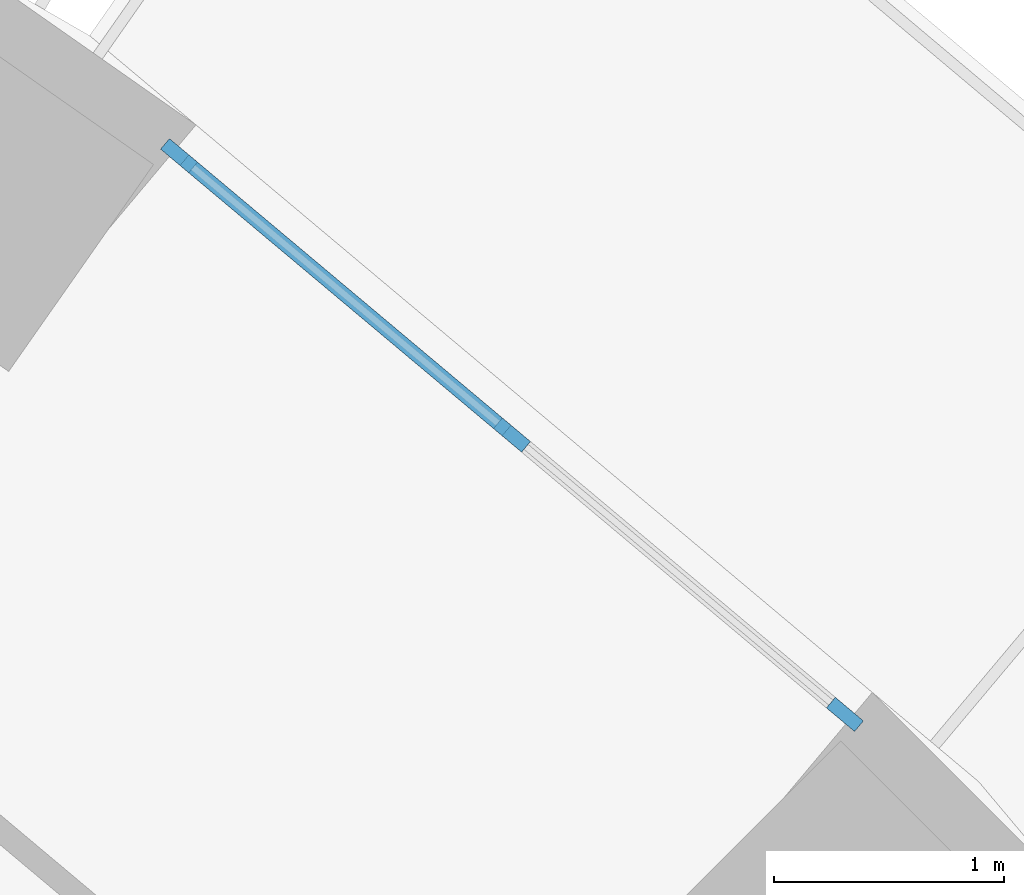
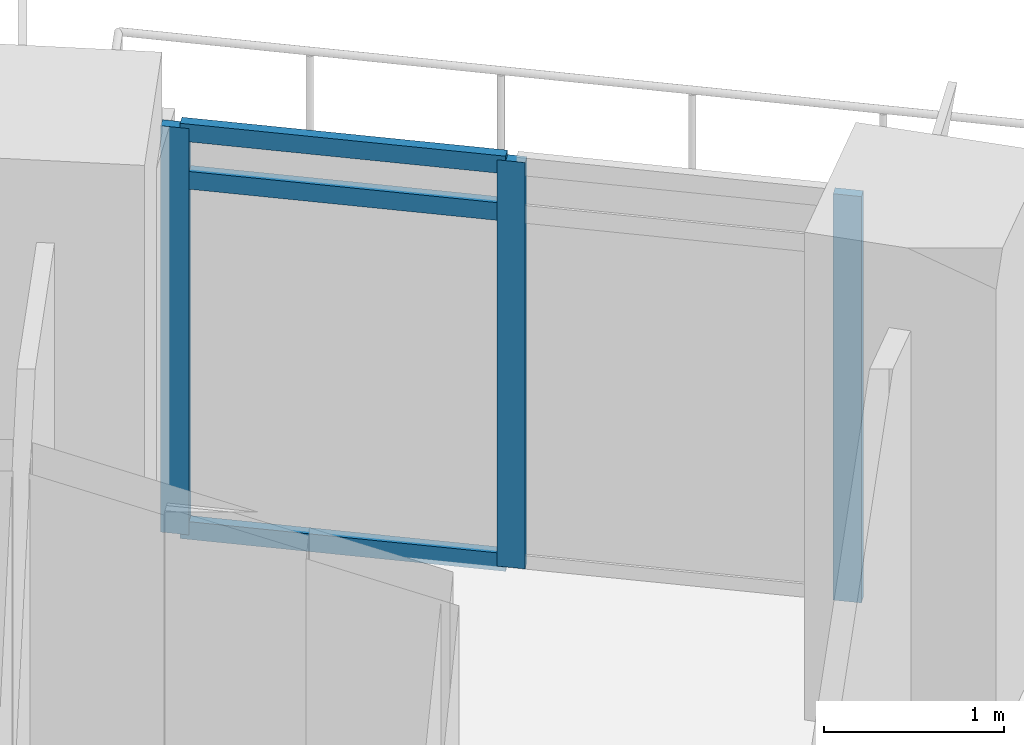
# One storey, part 2 of 15: 6 members, 1 element without a shape of its own.
"""IFC4 building model written with IfcOpenShell, lengths in metres."""

from ifc_helpers import new_model, si_unit, direction, frame, origin, origin_2d, place, context, subcontext, project, spatial, rectangle, extrude, material, layer, layer_set, material_profile, profile_set, type_object, element, aggregate, save


model = new_model("IFC4")

# Units and contexts
model_context = context("Model", 3, precision=1e-05, world=origin(), true_north=direction((0.0, 1.0)))
body_context = subcontext(model_context, "Body", "Model", "MODEL_VIEW")
ifc_project = project(units=[si_unit("LENGTHUNIT", "METRE"), si_unit("AREAUNIT", "SQUARE_METRE"), si_unit("VOLUMEUNIT", "CUBIC_METRE"), si_unit("PLANEANGLEUNIT", "RADIAN"), si_unit("MASSUNIT", "GRAM", prefix="KILO")], contexts=[model_context])

# Site, building, storey
site_placement = place(None, origin())
site = spatial("IfcSite", under=ifc_project, at=site_placement, CompositionType="ELEMENT")
building_placement = place(site_placement, origin())
building = spatial("IfcBuilding", under=site, at=building_placement, Name="Saqina Gate Tower", CompositionType="ELEMENT")
storey_placement = place(building_placement, frame((0.0, 0.0, 62.60009765625)))
storey = spatial("IfcBuildingStorey", under=building, at=storey_placement, Name="L17", CompositionType="ELEMENT", Elevation=62.60009765625)

# Curtain wall, members
ifc_material_1 = material(Name="Aluminium glazing", Category="aluminium")
ifc_layer = layer(ifc_material_1, 0.159912109375)
ifc_layer_set = layer_set([ifc_layer], Name="CWT-4")
curtain_wall_type = type_object("IfcCurtainWallType", Name="CWT-4", PredefinedType="NOTDEFINED", material=ifc_layer_set)
curtain_wall_placement = place(storey_placement, origin())
curtain_wall = element("IfcCurtainWall", 1, at=curtain_wall_placement, inside=storey, type_object=curtain_wall_type, Name="Terrace lounge glazing facet 5", PredefinedType="NOTDEFINED")
ifc_material_2 = material(Name="Aluminium", Category="aluminium")
ifc_material_profile_1 = material_profile(ifc_material_2, rectangle(XDim=0.06005859375, YDim=0.159912109375, at=origin_2d()), Name="Aluminium 60x160")
ifc_profile_set_1 = profile_set([ifc_material_profile_1], Name="Aluminium")
member_type_1 = type_object("IfcMemberType", Name="CWT-4M", PredefinedType="MULLION", material=ifc_profile_set_1)
member_1_placement = place(storey_placement, frame((19.923583984375, 20.799072265625, 0.0), z_axis=(0.0, 0.0, 1.0), x_axis=(-0.642791970033, -0.766040784332, 0.0)))
member_1 = element("IfcMember", 2, at=member_1_placement, type_object=member_type_1, Name="CW4-05 mullion 1", PredefinedType="MULLION", context=body_context, shape_type="SweptSolid", body=[
    extrude(rectangle(XDim=0.06005859375, YDim=0.159912109375, at=origin_2d()), origin(), (0.0, 0.0, 1.0), 2.75),
])
member_2_placement = place(storey_placement, frame((18.473388671875, 22.015869140625, 0.0), z_axis=(0.0, 0.0, 1.0), x_axis=(-0.642791970033, -0.766040784332, 0.0)))
member_2 = element("IfcMember", 3, at=member_2_placement, type_object=member_type_1, Name="CW4-05 mullion 2", PredefinedType="MULLION", context=body_context, shape_type="SweptSolid", body=[
    extrude(rectangle(XDim=0.06005859375, YDim=0.159912109375, at=origin_2d()), origin(), (0.0, 0.0, 1.0), 2.75),
])
member_3_placement = place(storey_placement, frame((17.0234375, 23.232666015625, 0.0), z_axis=(0.0, 0.0, 1.0), x_axis=(-0.642791970033, -0.766040784332, 0.0)))
member_3 = element("IfcMember", 4, at=member_3_placement, type_object=member_type_1, Name="CW4-05 mullion 3", PredefinedType="MULLION", context=body_context, shape_type="SweptSolid", body=[
    extrude(rectangle(XDim=0.06005859375, YDim=0.159912109375, at=origin_2d()), origin(), (0.0, 0.0, 1.0), 2.75),
])
ifc_material_3 = material(Name="Aluminium", Category="aluminium")
ifc_material_profile_2 = material_profile(ifc_material_3, rectangle(XDim=0.06005859375, YDim=0.1201171875, at=origin_2d()), Name="Aluminium 60x120")
ifc_profile_set_2 = profile_set([ifc_material_profile_2], Name="Aluminium")
member_type_2 = type_object("IfcMemberType", Name="CWT-4T", PredefinedType="USERDEFINED", material=ifc_profile_set_2)
member_4_placement = place(storey_placement, frame((18.450439453125, 22.03515625, 0.02978515625), z_axis=(-0.766022272785, 0.642814030336, 0.0), x_axis=(-0.642814030336, -0.766022272785, 0.0)))
member_4 = element("IfcMember", 5, at=member_4_placement, type_object=member_type_2, Name="CW4-05 transom 2.1", ObjectType="TRANSOM", PredefinedType="USERDEFINED", context=body_context, shape_type="SweptSolid", body=[
    extrude(rectangle(XDim=0.06005859375, YDim=0.1201171875, at=origin_2d()), origin(), (0.0, 0.0, 1.0), 1.8330078125),
])
member_5_placement = place(storey_placement, frame((18.450439453125, 22.03515625, 2.39990234375), z_axis=(-0.766022272785, 0.642814030336, 0.0), x_axis=(-0.642814030336, -0.766022272785, 0.0)))
member_5 = element("IfcMember", 6, at=member_5_placement, type_object=member_type_2, Name="CW4-05 transom 2.2", ObjectType="TRANSOM", PredefinedType="USERDEFINED", context=body_context, shape_type="SweptSolid", body=[
    extrude(rectangle(XDim=0.06005859375, YDim=0.1201171875, at=origin_2d()), origin(), (0.0, 0.0, 1.0), 1.8330078125),
])
member_6_placement = place(storey_placement, frame((18.450439453125, 22.03515625, 2.719970703125), z_axis=(-0.766022272785, 0.642814030336, 0.0), x_axis=(-0.642814030336, -0.766022272785, 0.0)))
member_6 = element("IfcMember", 7, at=member_6_placement, type_object=member_type_2, Name="CW4-05 transom 2.3", ObjectType="TRANSOM", PredefinedType="USERDEFINED", context=body_context, shape_type="SweptSolid", body=[
    extrude(rectangle(XDim=0.06005859375, YDim=0.1201171875, at=origin_2d()), origin(), (0.0, 0.0, 1.0), 1.8330078125),
])
aggregate(curtain_wall, [member_1, member_2, member_3, member_4, member_5, member_6])

save(model, "model.ifc")
